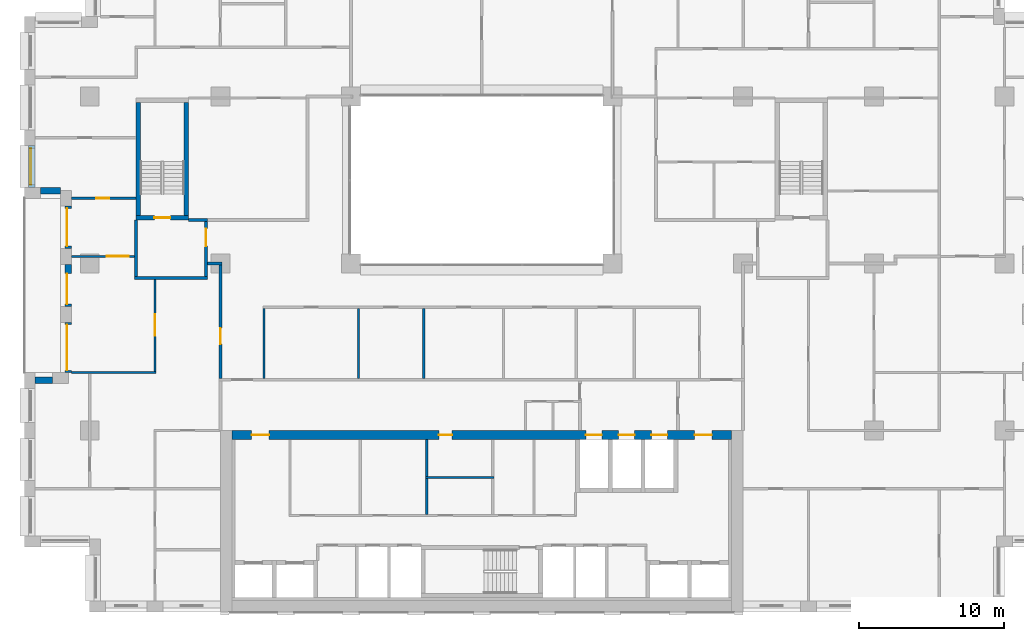
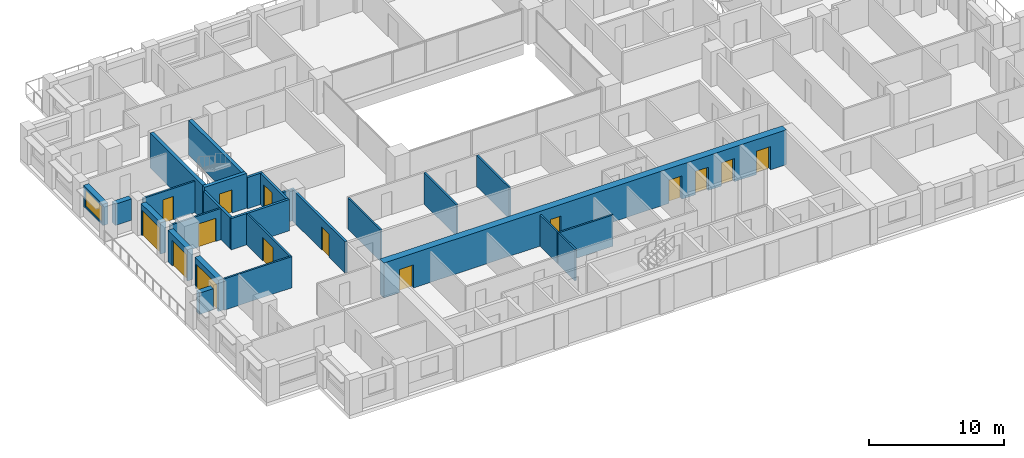
# One storey, part 9 of 16: 26 walls, 15 doors, 1 window, 16 openings.
"""IFC4 building model written with IfcOpenShell, lengths in metres."""

from ifc_helpers import new_model, si_unit, direction, frame, frame_2d, origin, place, context, subcontext, project, spatial, rectangle, extrude, material, layer, layer_set, type_object, element, fill, save


model = new_model("IFC4")

# Units and contexts
model_context = context("Model", 3, precision=1e-05, world=origin(), true_north=direction((0.0, 1.0)))
body_context = subcontext(model_context, "Body", "Model", "MODEL_VIEW")
ifc_project = project(units=[si_unit("LENGTHUNIT", "METRE"), si_unit("AREAUNIT", "SQUARE_METRE"), si_unit("VOLUMEUNIT", "CUBIC_METRE"), si_unit("PLANEANGLEUNIT", "RADIAN"), si_unit("MASSUNIT", "GRAM", prefix="KILO")], contexts=[model_context])

# Site, building, storey
site_placement = place(None, origin())
site = spatial("IfcSite", under=ifc_project, at=site_placement, CompositionType="ELEMENT")
building_placement = place(site_placement, origin())
building = spatial("IfcBuilding", under=site, at=building_placement, Name="Brigalow Station Residences", CompositionType="ELEMENT")
storey_placement = place(building_placement, frame((0.0, 0.0, 89.85009765625)))
storey = spatial("IfcBuildingStorey", under=building, at=storey_placement, Name="L25", CompositionType="ELEMENT", Elevation=89.85009765625)

# Wall, opening, window
ifc_material_1 = material(Name="Clay brick masonry", Category="masonry")
ifc_layer_1 = layer(ifc_material_1, 0.449951171875)
ifc_layer_set_1 = layer_set([ifc_layer_1], Name="BRICK INFILL WALL 450")
wall_type_1 = type_object("IfcWallType", Name="BRICK INFILL WALL 450", PredefinedType="SOLIDWALL", material=ifc_layer_set_1)
wall_1_placement = place(storey_placement, frame((5.02490234375, 32.116943359375, 0.89990234375), z_axis=(0.0, 0.0, 1.0), x_axis=(0.0, -1.0, 0.0)))
wall_1 = element("IfcWall", 1, at=wall_1_placement, inside=storey, type_object=wall_type_1, Name="L25/ewall/W-L25-41", PredefinedType="SOLIDWALL", context=body_context, shape_type="SweptSolid", body=[
    extrude(rectangle(XDim=2.866943359375, YDim=0.449951171875, at=frame_2d((1.43359375, 0.0))), origin(), (0.0, 0.0, 1.0), 1.929931640625),
])
opening_1_placement = place(wall_1_placement, frame((0.18359375, 0.0, 0.14990234375)))
opening_1 = element("IfcOpeningElement", 2, at=opening_1_placement, cuts=wall_1, Name="Opening WT-5", PredefinedType="OPENING", context=body_context, shape_type="SweptSolid", body=[
    extrude(rectangle(XDim=2.5, YDim=1.5, at=frame_2d((1.25, 0.75))), frame((0.0, 0.23486328125, 0.0), z_axis=(0.0, -1.0, 0.0), x_axis=(1.0, 0.0, 0.0)), (0.0, 0.0, 1.0), 0.469970703125),
])
ifc_material_2 = material(Name="Anodised aluminium frame with double glazing", Category="aluminium")
window_type = type_object("IfcWindowType", Name="WINDOW 2500x1500", PartitioningType="SINGLE_PANEL", PredefinedType="WINDOW", material=ifc_material_2)
window_placement = place(opening_1_placement, origin())
window = element("IfcWindow", 3, at=window_placement, inside=storey, type_object=window_type, Name="L25/window/W-L25-41", OverallHeight=1.5, OverallWidth=2.5, PartitioningType="SINGLE_PANEL", PredefinedType="WINDOW", context=body_context, shape_type="SweptSolid", body=[
    extrude(rectangle(XDim=2.5, YDim=1.5, at=frame_2d((1.25, 0.75))), frame((0.0, -0.06494140625, 0.0), z_axis=(0.0, -1.0, 0.0), x_axis=(1.0, 0.0, 0.0)), (0.0, 0.0, 1.0), 0.06005859375),
])
fill(opening_1, window)

# Wall
wall_2_placement = place(storey_placement, frame((5.60009765625, 29.02490234375, 0.89990234375), z_axis=(0.0, 0.0, 1.0), x_axis=(1.0, 0.0, 0.0)))
element("IfcWall", 4, at=wall_2_placement, inside=storey, type_object=wall_type_1, Name="L25/ewall/W-L25-42", PredefinedType="SOLIDWALL", context=body_context, shape_type="SweptSolid", body=[
    extrude(rectangle(XDim=1.39990234375, YDim=0.449951171875, at=frame_2d((0.699951171875, 0.0))), origin(), (0.0, 0.0, 1.0), 1.929931640625),
])

# Wall, opening, door
wall_3_placement = place(storey_placement, frame((7.52490234375, 27.949951171875, 0.0), z_axis=(0.0, 0.0, 1.0), x_axis=(0.0, -1.0, 0.0)))
wall_3 = element("IfcWall", 5, at=wall_3_placement, inside=storey, type_object=wall_type_1, Name="L25/ewall/W-L25-43", PredefinedType="SOLIDWALL", context=body_context, shape_type="SweptSolid", body=[
    extrude(rectangle(XDim=2.89990234375, YDim=0.449951171875, at=frame_2d((1.449951171875, 0.0))), origin(), (0.0, 0.0, 1.0), 2.829833984375),
])
opening_2_placement = place(wall_3_placement, frame((0.14990234375, 0.0, 0.0)))
opening_2 = element("IfcOpeningElement", 6, at=opening_2_placement, cuts=wall_3, Name="Opening D-B2600", PredefinedType="OPENING", context=body_context, shape_type="SweptSolid", body=[
    extrude(rectangle(XDim=2.60009765625, YDim=2.300048828125, at=frame_2d((1.300048828125, 1.14990234375))), frame((0.0, 0.23486328125, 0.0), z_axis=(0.0, -1.0, 0.0), x_axis=(1.0, 0.0, 0.0)), (0.0, 0.0, 1.0), 0.469970703125),
])
ifc_material_3 = material(Name="Anodised aluminium frame with double glazing", Category="aluminium")
door_type_1 = type_object("IfcDoorType", Name="BALCONY SLIDING DOOR 2600x2300", OperationType="SLIDING_TO_LEFT", PredefinedType="DOOR", material=ifc_material_3)
door_1_placement = place(opening_2_placement, origin())
door_1 = element("IfcDoor", 7, at=door_1_placement, inside=storey, type_object=door_type_1, Name="L25/balcony-door/W-L25-43", OperationType="SLIDING_TO_LEFT", OverallHeight=2.300048828125, OverallWidth=2.60009765625, PredefinedType="DOOR", context=body_context, shape_type="SweptSolid", body=[
    extrude(rectangle(XDim=2.60009765625, YDim=2.300048828125, at=frame_2d((1.300048828125, 1.14990234375))), frame((0.0, -0.06982421875, 0.0), z_axis=(0.0, -1.0, 0.0), x_axis=(1.0, 0.0, 0.0)), (0.0, 0.0, 1.0), 0.050048828125),
])
fill(opening_2, door_1)

wall_4_placement = place(storey_placement, frame((7.52490234375, 23.949951171875, 0.0), z_axis=(0.0, 0.0, 1.0), x_axis=(0.0, -1.0, 0.0)))
wall_4 = element("IfcWall", 8, at=wall_4_placement, inside=storey, type_object=wall_type_1, Name="L25/ewall/W-L25-44", PredefinedType="SOLIDWALL", context=body_context, shape_type="SweptSolid", body=[
    extrude(rectangle(XDim=2.89990234375, YDim=0.449951171875, at=frame_2d((1.449951171875, 0.0))), origin(), (0.0, 0.0, 1.0), 2.829833984375),
])
opening_3_placement = place(wall_4_placement, frame((0.635009765625, 0.0, 0.0)))
opening_3 = element("IfcOpeningElement", 9, at=opening_3_placement, cuts=wall_4, Name="Opening D-B2100", PredefinedType="OPENING", context=body_context, shape_type="SweptSolid", body=[
    extrude(rectangle(XDim=2.10009765625, YDim=2.300048828125, at=frame_2d((1.050048828125, 1.14990234375))), frame((0.0, 0.23486328125, 0.0), z_axis=(0.0, -1.0, 0.0), x_axis=(1.0, 0.0, 0.0)), (0.0, 0.0, 1.0), 0.469970703125),
])
ifc_material_4 = material(Name="Anodised aluminium frame with double glazing", Category="aluminium")
door_type_2 = type_object("IfcDoorType", Name="BALCONY SLIDING DOOR 2100x2300", OperationType="SLIDING_TO_LEFT", PredefinedType="DOOR", material=ifc_material_4)
door_2_placement = place(opening_3_placement, origin())
door_2 = element("IfcDoor", 10, at=door_2_placement, inside=storey, type_object=door_type_2, Name="L25/balcony-door/W-L25-44", OperationType="SLIDING_TO_LEFT", OverallHeight=2.300048828125, OverallWidth=2.10009765625, PredefinedType="DOOR", context=body_context, shape_type="SweptSolid", body=[
    extrude(rectangle(XDim=2.10009765625, YDim=2.300048828125, at=frame_2d((1.050048828125, 1.14990234375))), frame((0.0, -0.06982421875, 0.0), z_axis=(0.0, -1.0, 0.0), x_axis=(1.0, 0.0, 0.0)), (0.0, 0.0, 1.0), 0.050048828125),
])
fill(opening_3, door_2)

wall_5_placement = place(storey_placement, frame((7.52490234375, 19.949951171875, 0.0), z_axis=(0.0, 0.0, 1.0), x_axis=(0.0, -1.0, 0.0)))
wall_5 = element("IfcWall", 11, at=wall_5_placement, inside=storey, type_object=wall_type_1, Name="L25/ewall/W-L25-45", PredefinedType="SOLIDWALL", context=body_context, shape_type="SweptSolid", body=[
    extrude(rectangle(XDim=3.449951171875, YDim=0.449951171875, at=frame_2d((1.72509765625, 0.0))), origin(), (0.0, 0.0, 1.0), 2.829833984375),
])
opening_4_placement = place(wall_5_placement, frame((0.14990234375, 0.0, 0.0)))
opening_4 = element("IfcOpeningElement", 12, at=opening_4_placement, cuts=wall_5, Name="Opening D-B3150", PredefinedType="OPENING", context=body_context, shape_type="SweptSolid", body=[
    extrude(rectangle(XDim=3.14990234375, YDim=2.300048828125, at=frame_2d((1.574951171875, 1.14990234375))), frame((0.0, 0.23486328125, 0.0), z_axis=(0.0, -1.0, 0.0), x_axis=(1.0, 0.0, 0.0)), (0.0, 0.0, 1.0), 0.469970703125),
])
ifc_material_5 = material(Name="Anodised aluminium frame with double glazing", Category="aluminium")
door_type_3 = type_object("IfcDoorType", Name="BALCONY SLIDING DOOR 3150x2300", OperationType="SLIDING_TO_LEFT", PredefinedType="DOOR", material=ifc_material_5)
door_3_placement = place(opening_4_placement, origin())
door_3 = element("IfcDoor", 13, at=door_3_placement, inside=storey, type_object=door_type_3, Name="L25/balcony-door/W-L25-45", OperationType="SLIDING_TO_LEFT", OverallHeight=2.300048828125, OverallWidth=3.14990234375, PredefinedType="DOOR", context=body_context, shape_type="SweptSolid", body=[
    extrude(rectangle(XDim=3.14990234375, YDim=2.300048828125, at=frame_2d((1.574951171875, 1.14990234375))), frame((0.0, -0.06982421875, 0.0), z_axis=(0.0, -1.0, 0.0), x_axis=(1.0, 0.0, 0.0)), (0.0, 0.0, 1.0), 0.050048828125),
])
fill(opening_4, door_3)

# Wall
wall_6_placement = place(storey_placement, frame((6.449951171875, 15.97509765625, 0.89990234375), z_axis=(0.0, 0.0, 1.0), x_axis=(-1.0, 0.0, 0.0)))
element("IfcWall", 14, at=wall_6_placement, inside=storey, type_object=wall_type_1, Name="L25/ewall/W-L25-46", PredefinedType="SOLIDWALL", context=body_context, shape_type="SweptSolid", body=[
    extrude(rectangle(XDim=1.199951171875, YDim=0.449951171875, at=frame_2d((0.60009765625, 0.0))), origin(), (0.0, 0.0, 1.0), 1.929931640625),
])

# Wall, opening, door
ifc_material_6 = material(Name="Concrete C65", Category="concrete")
ifc_layer_2 = layer(ifc_material_6, 0.300048828125)
ifc_layer_set_2 = layer_set([ifc_layer_2], Name="CORE SHEAR WALL 300 C65")
wall_type_2 = type_object("IfcWallType", Name="CORE SHEAR WALL 300 C65", PredefinedType="SHEAR", material=ifc_layer_set_2)
wall_7_placement = place(storey_placement, frame((12.199951171875, 27.14990234375, 0.0), z_axis=(0.0, 0.0, 1.0), x_axis=(1.0, 0.0, 0.0)))
wall_7 = element("IfcWall", 15, at=wall_7_placement, inside=storey, type_object=wall_type_2, Name="CORE WALL ST-S1-S L25", PredefinedType="SHEAR", context=body_context, shape_type="SweptSolid", body=[
    extrude(rectangle(XDim=3.60009765625, YDim=0.300048828125, at=frame_2d((1.800048828125, 0.0))), origin(), (0.0, 0.0, 1.0), 3.14990234375),
])
opening_5_placement = place(wall_7_placement, frame((1.25, 0.0, 0.0)))
opening_5 = element("IfcOpeningElement", 16, at=opening_5_placement, cuts=wall_7, Name="Opening D-5015", PredefinedType="OPENING", context=body_context, shape_type="SweptSolid", body=[
    extrude(rectangle(XDim=1.10009765625, YDim=2.10009765625, at=frame_2d((0.550048828125, 1.050048828125))), frame((0.0, 0.16015625, 0.0), z_axis=(0.0, -1.0, 0.0), x_axis=(1.0, 0.0, 0.0)), (0.0, 0.0, 1.0), 0.320068359375),
])
ifc_material_7 = material(Name="Steel fire door leaf in steel frame", Category="steel")
door_type_4 = type_object("IfcDoorType", Name="STAIR DOOR 1100 x 2100 FD60S", OperationType="SINGLE_SWING_LEFT", PredefinedType="DOOR", material=ifc_material_7)
door_4_placement = place(opening_5_placement, origin())
door_4 = element("IfcDoor", 17, at=door_4_placement, inside=storey, type_object=door_type_4, Name="D-5015", OperationType="SINGLE_SWING_LEFT", OverallHeight=2.10009765625, OverallWidth=1.10009765625, PredefinedType="DOOR", context=body_context, shape_type="SweptSolid", body=[
    extrude(rectangle(XDim=1.10009765625, YDim=2.10009765625, at=frame_2d((0.550048828125, 1.050048828125))), frame((0.0, 0.02490234375, 0.0), z_axis=(0.0, -1.0, 0.0), x_axis=(1.0, 0.0, 0.0)), (0.0, 0.0, 1.0), 0.050048828125),
])
fill(opening_5, door_4)

# Walls
for number, where, z_axis, x_axis, name in (
    (18, (12.35009765625, 27.300048828125, 0.0), (0.0, 0.0, 1.0), (0.0, 1.0, 0.0), "CORE WALL ST-S1-W L25"),
    (19, (15.64990234375, 27.300048828125, 0.0), (0.0, 0.0, 1.0), (0.0, 1.0, 0.0), "CORE WALL ST-S1-E L25"),
):
    element("IfcWall", number, at=place(storey_placement, frame(where, z_axis=z_axis, x_axis=x_axis)), inside=storey, type_object=wall_type_2, Name=name, PredefinedType="SHEAR", context=body_context, shape_type="SweptSolid", body=[
        extrude(rectangle(XDim=7.800048828125, YDim=0.300048828125, at=frame_2d((3.89990234375, 0.0))), origin(), (0.0, 0.0, 1.0), 3.14990234375),
    ])

# Wall, openings, doors
ifc_material_8 = material(Name="Concrete C65", Category="concrete")
ifc_layer_3 = layer(ifc_material_8, 0.60009765625)
ifc_layer_set_3 = layer_set([ifc_layer_3], Name="CORE SHEAR WALL 600 C65")
wall_type_3 = type_object("IfcWallType", Name="CORE SHEAR WALL 600 C65", PredefinedType="SHEAR", material=ifc_layer_set_3)
wall_8_placement = place(storey_placement, frame((18.800048828125, 12.199951171875, 0.0), z_axis=(0.0, 0.0, 1.0), x_axis=(1.0, 0.0, 0.0)))
wall_8 = element("IfcWall", 20, at=wall_8_placement, inside=storey, type_object=wall_type_3, Name="CORE WALL OUT-N L25", PredefinedType="SHEAR", context=body_context, shape_type="SweptSolid", body=[
    extrude(rectangle(XDim=34.39990234375, YDim=0.60009765625, at=frame_2d((17.199951171875, 0.0))), origin(), (0.0, 0.0, 1.0), 3.14990234375),
])
opening_6_placement = place(wall_8_placement, frame((24.375, 0.0, 0.0)))
opening_6 = element("IfcOpeningElement", 21, at=opening_6_placement, cuts=wall_8, Name="Opening LD-LF1", PredefinedType="OPENING", context=body_context, shape_type="SweptSolid", body=[
    extrude(rectangle(XDim=1.10009765625, YDim=2.10009765625, at=frame_2d((0.550048828125, 1.050048828125))), frame((0.0, 0.31005859375, 0.0), z_axis=(0.0, -1.0, 0.0), x_axis=(1.0, 0.0, 0.0)), (0.0, 0.0, 1.0), 0.6201171875),
])
opening_7_placement = place(wall_8_placement, frame((26.625, 0.0, 0.0)))
opening_7 = element("IfcOpeningElement", 22, at=opening_7_placement, cuts=wall_8, Name="Opening LD-LF2", PredefinedType="OPENING", context=body_context, shape_type="SweptSolid", body=[
    extrude(rectangle(XDim=1.10009765625, YDim=2.10009765625, at=frame_2d((0.550048828125, 1.050048828125))), frame((0.0, 0.31005859375, 0.0), z_axis=(0.0, -1.0, 0.0), x_axis=(1.0, 0.0, 0.0)), (0.0, 0.0, 1.0), 0.6201171875),
])
opening_8_placement = place(wall_8_placement, frame((28.875, 0.0, 0.0)))
opening_8 = element("IfcOpeningElement", 23, at=opening_8_placement, cuts=wall_8, Name="Opening LD-LG1", PredefinedType="OPENING", context=body_context, shape_type="SweptSolid", body=[
    extrude(rectangle(XDim=1.10009765625, YDim=2.10009765625, at=frame_2d((0.550048828125, 1.050048828125))), frame((0.0, 0.31005859375, 0.0), z_axis=(0.0, -1.0, 0.0), x_axis=(1.0, 0.0, 0.0)), (0.0, 0.0, 1.0), 0.6201171875),
])
opening_9_placement = place(wall_8_placement, frame((14.25, 0.0, 0.0)))
opening_9 = element("IfcOpeningElement", 24, at=opening_9_placement, cuts=wall_8, Name="Opening D-5113", PredefinedType="OPENING", context=body_context, shape_type="SweptSolid", body=[
    extrude(rectangle(XDim=0.89990234375, YDim=2.10009765625, at=frame_2d((0.449951171875, 1.050048828125))), frame((0.0, 0.31005859375, 0.0), z_axis=(0.0, -1.0, 0.0), x_axis=(1.0, 0.0, 0.0)), (0.0, 0.0, 1.0), 0.6201171875),
])
opening_10_placement = place(wall_8_placement, frame((1.35009765625, 0.0, 0.0)))
opening_10 = element("IfcOpeningElement", 25, at=opening_10_placement, cuts=wall_8, Name="Opening D-5011", PredefinedType="OPENING", context=body_context, shape_type="SweptSolid", body=[
    extrude(rectangle(XDim=1.199951171875, YDim=2.10009765625, at=frame_2d((0.60009765625, 1.050048828125))), frame((0.0, 0.31005859375, 0.0), z_axis=(0.0, -1.0, 0.0), x_axis=(1.0, 0.0, 0.0)), (0.0, 0.0, 1.0), 0.6201171875),
])
opening_11_placement = place(wall_8_placement, frame((31.85009765625, 0.0, 0.0)))
opening_11 = element("IfcOpeningElement", 26, at=opening_11_placement, cuts=wall_8, Name="Opening D-5012", PredefinedType="OPENING", context=body_context, shape_type="SweptSolid", body=[
    extrude(rectangle(XDim=1.199951171875, YDim=2.10009765625, at=frame_2d((0.60009765625, 1.050048828125))), frame((0.0, 0.31005859375, 0.0), z_axis=(0.0, -1.0, 0.0), x_axis=(1.0, 0.0, 0.0)), (0.0, 0.0, 1.0), 0.6201171875),
])
ifc_material_9 = material(Name="Steel fire door leaf in steel frame", Category="steel")
door_type_5 = type_object("IfcDoorType", Name="CORE CORRIDOR DOOR 1200 x 2100 FD60S", OperationType="SINGLE_SWING_LEFT", PredefinedType="DOOR", material=ifc_material_9)
door_5_placement = place(opening_10_placement, frame((1.199951171875, 0.0, 0.0), z_axis=(0.0, 0.0, 1.0), x_axis=(-1.0, 0.0, 0.0)))
door_5 = element("IfcDoor", 27, at=door_5_placement, inside=storey, type_object=door_type_5, Name="D-5011", OperationType="SINGLE_SWING_LEFT", OverallHeight=2.10009765625, OverallWidth=1.199951171875, PredefinedType="DOOR", context=body_context, shape_type="SweptSolid", body=[
    extrude(rectangle(XDim=1.199951171875, YDim=2.10009765625, at=frame_2d((0.60009765625, 1.050048828125))), frame((0.0, 0.02490234375, 0.0), z_axis=(0.0, -1.0, 0.0), x_axis=(1.0, 0.0, 0.0)), (0.0, 0.0, 1.0), 0.050048828125),
])
fill(opening_10, door_5)
door_6_placement = place(opening_11_placement, frame((1.199951171875, 0.0, 0.0), z_axis=(0.0, 0.0, 1.0), x_axis=(-1.0, 0.0, 0.0)))
door_6 = element("IfcDoor", 28, at=door_6_placement, inside=storey, type_object=door_type_5, Name="D-5012", OperationType="SINGLE_SWING_RIGHT", OverallHeight=2.10009765625, OverallWidth=1.199951171875, PredefinedType="DOOR", context=body_context, shape_type="SweptSolid", body=[
    extrude(rectangle(XDim=1.199951171875, YDim=2.10009765625, at=frame_2d((0.60009765625, 1.050048828125))), frame((0.0, 0.02490234375, 0.0), z_axis=(0.0, -1.0, 0.0), x_axis=(1.0, 0.0, 0.0)), (0.0, 0.0, 1.0), 0.050048828125),
])
fill(opening_11, door_6)
ifc_material_10 = material(Name="Stainless steel sliding door leaves", Category="steel")
door_type_6 = type_object("IfcDoorType", Name="LIFT LANDING DOOR 1100 x 2100", OperationType="DOUBLE_DOOR_SLIDING", PredefinedType="DOOR", material=ifc_material_10)
door_7_placement = place(opening_6_placement, origin())
door_7 = element("IfcDoor", 29, at=door_7_placement, inside=storey, type_object=door_type_6, Name="LANDING DOOR LF1", OperationType="DOUBLE_DOOR_SLIDING", OverallHeight=2.10009765625, OverallWidth=1.10009765625, PredefinedType="DOOR", context=body_context, shape_type="SweptSolid", body=[
    extrude(rectangle(XDim=1.10009765625, YDim=2.10009765625, at=frame_2d((0.550048828125, 1.050048828125))), frame((0.0, 0.02490234375, 0.0), z_axis=(0.0, -1.0, 0.0), x_axis=(1.0, 0.0, 0.0)), (0.0, 0.0, 1.0), 0.050048828125),
])
fill(opening_6, door_7)
door_8_placement = place(opening_7_placement, origin())
door_8 = element("IfcDoor", 30, at=door_8_placement, inside=storey, type_object=door_type_6, Name="LANDING DOOR LF2", OperationType="DOUBLE_DOOR_SLIDING", OverallHeight=2.10009765625, OverallWidth=1.10009765625, PredefinedType="DOOR", context=body_context, shape_type="SweptSolid", body=[
    extrude(rectangle(XDim=1.10009765625, YDim=2.10009765625, at=frame_2d((0.550048828125, 1.050048828125))), frame((0.0, 0.02490234375, 0.0), z_axis=(0.0, -1.0, 0.0), x_axis=(1.0, 0.0, 0.0)), (0.0, 0.0, 1.0), 0.050048828125),
])
fill(opening_7, door_8)
door_9_placement = place(opening_8_placement, origin())
door_9 = element("IfcDoor", 31, at=door_9_placement, inside=storey, type_object=door_type_6, Name="LANDING DOOR LG1", OperationType="DOUBLE_DOOR_SLIDING", OverallHeight=2.10009765625, OverallWidth=1.10009765625, PredefinedType="DOOR", context=body_context, shape_type="SweptSolid", body=[
    extrude(rectangle(XDim=1.10009765625, YDim=2.10009765625, at=frame_2d((0.550048828125, 1.050048828125))), frame((0.0, 0.02490234375, 0.0), z_axis=(0.0, -1.0, 0.0), x_axis=(1.0, 0.0, 0.0)), (0.0, 0.0, 1.0), 0.050048828125),
])
fill(opening_8, door_9)
ifc_material_11 = material(Name="Steel door leaf in steel frame", Category="steel")
door_type_7 = type_object("IfcDoorType", Name="SERVICE ROOM DOOR 900 x 2100 FD60", OperationType="SINGLE_SWING_LEFT", PredefinedType="DOOR", material=ifc_material_11)
door_10_placement = place(opening_9_placement, frame((0.89990234375, 0.0, 0.0), z_axis=(0.0, 0.0, 1.0), x_axis=(-1.0, 0.0, 0.0)))
door_10 = element("IfcDoor", 32, at=door_10_placement, inside=storey, type_object=door_type_7, Name="D-5113", OperationType="SINGLE_SWING_RIGHT", OverallHeight=2.10009765625, OverallWidth=0.89990234375, PredefinedType="DOOR", context=body_context, shape_type="SweptSolid", body=[
    extrude(rectangle(XDim=0.89990234375, YDim=2.10009765625, at=frame_2d((0.449951171875, 1.050048828125))), frame((0.0, 0.02490234375, 0.0), z_axis=(0.0, -1.0, 0.0), x_axis=(1.0, 0.0, 0.0)), (0.0, 0.0, 1.0), 0.050048828125),
])
fill(opening_9, door_10)

# Walls
ifc_material_12 = material(Name="Concrete blockwork", Category="masonry")
ifc_layer_4 = layer(ifc_material_12, 0.199951171875)
ifc_layer_set_4 = layer_set([ifc_layer_4], Name="FIRE RATED CORE PARTITION 200")
wall_type_4 = type_object("IfcWallType", Name="FIRE RATED CORE PARTITION 200", PredefinedType="PARTITIONING", material=ifc_layer_set_4)
wall_9_placement = place(storey_placement, frame((12.10009765625, 23.0, 0.0), z_axis=(0.0, 0.0, 1.0), x_axis=(1.0, 0.0, 0.0)))
element("IfcWall", 33, at=wall_9_placement, inside=storey, type_object=wall_type_4, Name="PW-5023", PredefinedType="PARTITIONING", context=body_context, shape_type="SweptSolid", body=[
    extrude(rectangle(XDim=5.0, YDim=0.199951171875, at=frame_2d((2.5, 0.0))), origin(), (0.0, 0.0, 1.0), 2.829833984375),
])
wall_10_placement = place(storey_placement, frame((15.800048828125, 27.0, 0.0), z_axis=(0.0, 0.0, 1.0), x_axis=(1.0, 0.0, 0.0)))
element("IfcWall", 34, at=wall_10_placement, inside=storey, type_object=wall_type_4, Name="PW-5025", PredefinedType="PARTITIONING", context=body_context, shape_type="SweptSolid", body=[
    extrude(rectangle(XDim=1.300048828125, YDim=0.199951171875, at=frame_2d((0.64990234375, 0.0))), origin(), (0.0, 0.0, 1.0), 2.829833984375),
])
wall_11_placement = place(storey_placement, frame((12.199951171875, 23.10009765625, 0.0), z_axis=(0.0, 0.0, 1.0), x_axis=(0.0, 1.0, 0.0)))
element("IfcWall", 35, at=wall_11_placement, inside=storey, type_object=wall_type_4, Name="PW-5034", PredefinedType="PARTITIONING", context=body_context, shape_type="SweptSolid", body=[
    extrude(rectangle(XDim=3.89990234375, YDim=0.199951171875, at=frame_2d((1.949951171875, 0.0))), origin(), (0.0, 0.0, 1.0), 2.829833984375),
])

# Wall, opening, door
wall_12_placement = place(storey_placement, frame((17.0, 23.10009765625, 0.0), z_axis=(0.0, 0.0, 1.0), x_axis=(0.0, 1.0, 0.0)))
wall_12 = element("IfcWall", 36, at=wall_12_placement, inside=storey, type_object=wall_type_4, Name="PW-5035", PredefinedType="PARTITIONING", context=body_context, shape_type="SweptSolid", body=[
    extrude(rectangle(XDim=3.7998046875, YDim=0.199951171875, at=frame_2d((1.89990234375, 0.0))), origin(), (0.0, 0.0, 1.0), 2.829833984375),
])
opening_12_placement = place(wall_12_placement, frame((2.10009765625, 0.0, 0.0)))
opening_12 = element("IfcOpeningElement", 37, at=opening_12_placement, cuts=wall_12, Name="Opening D-5016", PredefinedType="OPENING", context=body_context, shape_type="SweptSolid", body=[
    extrude(rectangle(XDim=1.199951171875, YDim=2.10009765625, at=frame_2d((0.60009765625, 1.050048828125))), frame((0.0, 0.10986328125, 0.0), z_axis=(0.0, -1.0, 0.0), x_axis=(1.0, 0.0, 0.0)), (0.0, 0.0, 1.0), 0.219970703125),
])
ifc_material_13 = material(Name="Steel fire door leaf in steel frame", Category="steel")
door_type_8 = type_object("IfcDoorType", Name="STAIR LOBBY DOOR 1200 x 2100 FD60S", OperationType="SINGLE_SWING_LEFT", PredefinedType="DOOR", material=ifc_material_13)
door_11_placement = place(opening_12_placement, origin())
door_11 = element("IfcDoor", 38, at=door_11_placement, inside=storey, type_object=door_type_8, Name="D-5016", OperationType="SINGLE_SWING_RIGHT", OverallHeight=2.10009765625, OverallWidth=1.199951171875, PredefinedType="DOOR", context=body_context, shape_type="SweptSolid", body=[
    extrude(rectangle(XDim=1.199951171875, YDim=2.10009765625, at=frame_2d((0.60009765625, 1.050048828125))), frame((0.0, 0.02490234375, 0.0), z_axis=(0.0, -1.0, 0.0), x_axis=(1.0, 0.0, 0.0)), (0.0, 0.0, 1.0), 0.050048828125),
])
fill(opening_12, door_11)

# Wall
ifc_material_14 = material(Name="Plasterboard on steel stud partition", Category="steel")
ifc_layer_5 = layer(ifc_material_14, 0.14990234375)
ifc_layer_set_5 = layer_set([ifc_layer_5], Name="FLAT PARTITION 150")
wall_type_5 = type_object("IfcWallType", Name="FLAT PARTITION 150", PredefinedType="PARTITIONING", material=ifc_layer_set_5)
wall_13_placement = place(storey_placement, frame((7.75, 16.5, 0.0), z_axis=(0.0, 0.0, 1.0), x_axis=(1.0, 0.0, 0.0)))
element("IfcWall", 39, at=wall_13_placement, inside=storey, type_object=wall_type_5, Name="PW-2A14", PredefinedType="PARTITIONING", context=body_context, shape_type="SweptSolid", body=[
    extrude(rectangle(XDim=5.824951171875, YDim=0.14990234375, at=frame_2d((2.91259765625, 0.0))), origin(), (0.0, 0.0, 1.0), 2.829833984375),
])

# Wall, opening, door
wall_14_placement = place(storey_placement, frame((7.75, 24.5, 0.0), z_axis=(0.0, 0.0, 1.0), x_axis=(1.0, 0.0, 0.0)))
wall_14 = element("IfcWall", 40, at=wall_14_placement, inside=storey, type_object=wall_type_5, Name="PW-2A19", PredefinedType="PARTITIONING", context=body_context, shape_type="SweptSolid", body=[
    extrude(rectangle(XDim=4.35009765625, YDim=0.14990234375, at=frame_2d((2.175048828125, 0.0))), origin(), (0.0, 0.0, 1.0), 2.829833984375),
])
opening_13_placement = place(wall_14_placement, frame((2.425048828125, 0.0, 0.0)))
opening_13 = element("IfcOpeningElement", 41, at=opening_13_placement, cuts=wall_14, Name="Opening D-2A10", PredefinedType="OPENING", context=body_context, shape_type="SweptSolid", body=[
    extrude(rectangle(XDim=1.5, YDim=2.10009765625, at=frame_2d((0.75, 1.050048828125))), frame((0.0, 0.0849609375, 0.0), z_axis=(0.0, -1.0, 0.0), x_axis=(1.0, 0.0, 0.0)), (0.0, 0.0, 1.0), 0.169921875),
])
ifc_material_15 = material(Name="Solid-core timber door leaf", Category="wood")
door_type_9 = type_object("IfcDoorType", Name="INTERNAL DOUBLE DOOR 1500 x 2100", OperationType="DOUBLE_DOOR_SINGLE_SWING", PredefinedType="DOOR", material=ifc_material_15)
door_12_placement = place(opening_13_placement, origin())
door_12 = element("IfcDoor", 42, at=door_12_placement, inside=storey, type_object=door_type_9, Name="D-2A10", OperationType="DOUBLE_DOOR_SINGLE_SWING", OverallHeight=2.10009765625, OverallWidth=1.5, PredefinedType="DOOR", context=body_context, shape_type="SweptSolid", body=[
    extrude(rectangle(XDim=1.5, YDim=2.10009765625, at=frame_2d((0.75, 1.050048828125))), frame((0.0, 0.02490234375, 0.0), z_axis=(0.0, -1.0, 0.0), x_axis=(1.0, 0.0, 0.0)), (0.0, 0.0, 1.0), 0.050048828125),
])
fill(opening_13, door_12)

wall_15_placement = place(storey_placement, frame((7.75, 28.5, 0.0), z_axis=(0.0, 0.0, 1.0), x_axis=(1.0, 0.0, 0.0)))
wall_15 = element("IfcWall", 43, at=wall_15_placement, inside=storey, type_object=wall_type_5, Name="PW-2A22", PredefinedType="PARTITIONING", context=body_context, shape_type="SweptSolid", body=[
    extrude(rectangle(XDim=4.449951171875, YDim=0.14990234375, at=frame_2d((2.22509765625, 0.0))), origin(), (0.0, 0.0, 1.0), 2.829833984375),
])
opening_14_placement = place(wall_15_placement, frame((1.699951171875, 0.0, 0.0)))
opening_14 = element("IfcOpeningElement", 44, at=opening_14_placement, cuts=wall_15, Name="Opening D-2A11", PredefinedType="OPENING", context=body_context, shape_type="SweptSolid", body=[
    extrude(rectangle(XDim=0.89990234375, YDim=2.10009765625, at=frame_2d((0.449951171875, 1.050048828125))), frame((0.0, 0.0849609375, 0.0), z_axis=(0.0, -1.0, 0.0), x_axis=(1.0, 0.0, 0.0)), (0.0, 0.0, 1.0), 0.169921875),
])
ifc_material_16 = material(Name="Solid-core timber door leaf", Category="wood")
door_type_10 = type_object("IfcDoorType", Name="INTERNAL DOOR 900 x 2100", OperationType="SINGLE_SWING_LEFT", PredefinedType="DOOR", material=ifc_material_16)
door_13_placement = place(opening_14_placement, frame((0.89990234375, 0.0, 0.0), z_axis=(0.0, 0.0, 1.0), x_axis=(-1.0, 0.0, 0.0)))
door_13 = element("IfcDoor", 45, at=door_13_placement, inside=storey, type_object=door_type_10, Name="D-2A11", OperationType="SINGLE_SWING_RIGHT", OverallHeight=2.10009765625, OverallWidth=0.89990234375, PredefinedType="DOOR", context=body_context, shape_type="SweptSolid", body=[
    extrude(rectangle(XDim=0.89990234375, YDim=2.10009765625, at=frame_2d((0.449951171875, 1.050048828125))), frame((0.0, 0.02490234375, 0.0), z_axis=(0.0, -1.0, 0.0), x_axis=(1.0, 0.0, 0.0)), (0.0, 0.0, 1.0), 0.050048828125),
])
fill(opening_14, door_13)

# Wall
wall_16_placement = place(storey_placement, frame((21.0, 16.10009765625, 0.0), z_axis=(0.0, 0.0, 1.0), x_axis=(0.0, 1.0, 0.0)))
element("IfcWall", 46, at=wall_16_placement, inside=storey, type_object=wall_type_5, Name="PW-2A43", PredefinedType="PARTITIONING", context=body_context, shape_type="SweptSolid", body=[
    extrude(rectangle(XDim=4.824951171875, YDim=0.14990234375, at=frame_2d((2.41259765625, 0.0))), origin(), (0.0, 0.0, 1.0), 2.829833984375),
])

# Wall, opening, door
wall_17_placement = place(storey_placement, frame((13.5, 16.574951171875, 0.0), z_axis=(0.0, 0.0, 1.0), x_axis=(0.0, 1.0, 0.0)))
wall_17 = element("IfcWall", 47, at=wall_17_placement, inside=storey, type_object=wall_type_5, Name="PW-2A50", PredefinedType="PARTITIONING", context=body_context, shape_type="SweptSolid", body=[
    extrude(rectangle(XDim=6.324951171875, YDim=0.14990234375, at=frame_2d((3.16259765625, 0.0))), origin(), (0.0, 0.0, 1.0), 2.829833984375),
])
opening_15_placement = place(wall_17_placement, frame((2.449951171875, 0.0, 0.0)))
opening_15 = element("IfcOpeningElement", 48, at=opening_15_placement, cuts=wall_17, Name="Opening D-2A09", PredefinedType="OPENING", context=body_context, shape_type="SweptSolid", body=[
    extrude(rectangle(XDim=1.5, YDim=2.10009765625, at=frame_2d((0.75, 1.050048828125))), frame((0.0, 0.0849609375, 0.0), z_axis=(0.0, -1.0, 0.0), x_axis=(1.0, 0.0, 0.0)), (0.0, 0.0, 1.0), 0.169921875),
])
door_14_placement = place(opening_15_placement, origin())
door_14 = element("IfcDoor", 49, at=door_14_placement, inside=storey, type_object=door_type_9, Name="D-2A09", OperationType="DOUBLE_DOOR_SINGLE_SWING", OverallHeight=2.10009765625, OverallWidth=1.5, PredefinedType="DOOR", context=body_context, shape_type="SweptSolid", body=[
    extrude(rectangle(XDim=1.5, YDim=2.10009765625, at=frame_2d((0.75, 1.050048828125))), frame((0.0, 0.02490234375, 0.0), z_axis=(0.0, -1.0, 0.0), x_axis=(1.0, 0.0, 0.0)), (0.0, 0.0, 1.0), 0.050048828125),
])
fill(opening_15, door_14)

# Walls
for number, where, z_axis, x_axis, name in (
    (50, (27.5, 16.10009765625, 0.0), (0.0, 0.0, 1.0), (0.0, 1.0, 0.0), "PW-2A72"),
    (51, (32.0, 16.10009765625, 0.0), (0.0, 0.0, 1.0), (0.0, 1.0, 0.0), "PW-2A73"),
):
    element("IfcWall", number, at=place(storey_placement, frame(where, z_axis=z_axis, x_axis=x_axis)), inside=storey, type_object=wall_type_5, Name=name, PredefinedType="PARTITIONING", context=body_context, shape_type="SweptSolid", body=[
        extrude(rectangle(XDim=4.824951171875, YDim=0.14990234375, at=frame_2d((2.41259765625, 0.0))), origin(), (0.0, 0.0, 1.0), 2.829833984375),
    ])
ifc_material_17 = material(Name="Plasterboard on steel stud partition", Category="steel")
ifc_layer_6 = layer(ifc_material_17, 0.199951171875)
ifc_layer_set_6 = layer_set([ifc_layer_6], Name="PARTY AND CORRIDOR WALL 200")
wall_type_6 = type_object("IfcWallType", Name="PARTY AND CORRIDOR WALL 200", PredefinedType="PARTITIONING", material=ifc_layer_set_6)
wall_18_placement = place(storey_placement, frame((17.10009765625, 24.0, 0.0), z_axis=(0.0, 0.0, 1.0), x_axis=(1.0, 0.0, 0.0)))
element("IfcWall", 52, at=wall_18_placement, inside=storey, type_object=wall_type_6, Name="PW-2A02", PredefinedType="PARTITIONING", context=body_context, shape_type="SweptSolid", body=[
    extrude(rectangle(XDim=1.0, YDim=0.199951171875, at=frame_2d((0.5, 0.0))), origin(), (0.0, 0.0, 1.0), 2.829833984375),
])

# Wall, opening, door
wall_19_placement = place(storey_placement, frame((18.0, 16.10009765625, 0.0), z_axis=(0.0, 0.0, 1.0), x_axis=(0.0, 1.0, 0.0)))
wall_19 = element("IfcWall", 53, at=wall_19_placement, inside=storey, type_object=wall_type_6, Name="PW-2A40", PredefinedType="PARTITIONING", context=body_context, shape_type="SweptSolid", body=[
    extrude(rectangle(XDim=7.7998046875, YDim=0.199951171875, at=frame_2d((3.89990234375, 0.0))), origin(), (0.0, 0.0, 1.0), 2.829833984375),
])
opening_16_placement = place(wall_19_placement, frame((2.35009765625, 0.0, 0.0)))
opening_16 = element("IfcOpeningElement", 54, at=opening_16_placement, cuts=wall_19, Name="Opening D-2A03", PredefinedType="OPENING", context=body_context, shape_type="SweptSolid", body=[
    extrude(rectangle(XDim=1.10009765625, YDim=2.10009765625, at=frame_2d((0.550048828125, 1.050048828125))), frame((0.0, 0.10986328125, 0.0), z_axis=(0.0, -1.0, 0.0), x_axis=(1.0, 0.0, 0.0)), (0.0, 0.0, 1.0), 0.219970703125),
])
ifc_material_18 = material(Name="Solid-core timber door leaf", Category="wood")
door_type_11 = type_object("IfcDoorType", Name="FLAT ENTRANCE DOOR 1100 x 2100 FRL -/60/30", OperationType="SINGLE_SWING_LEFT", PredefinedType="DOOR", material=ifc_material_18)
door_15_placement = place(opening_16_placement, origin())
door_15 = element("IfcDoor", 55, at=door_15_placement, inside=storey, type_object=door_type_11, Name="D-2A03", OperationType="SINGLE_SWING_RIGHT", OverallHeight=2.10009765625, OverallWidth=1.10009765625, PredefinedType="DOOR", context=body_context, shape_type="SweptSolid", body=[
    extrude(rectangle(XDim=1.10009765625, YDim=2.10009765625, at=frame_2d((0.550048828125, 1.050048828125))), frame((0.0, 0.02490234375, 0.0), z_axis=(0.0, -1.0, 0.0), x_axis=(1.0, 0.0, 0.0)), (0.0, 0.0, 1.0), 0.050048828125),
])
fill(opening_16, door_15)

# Walls
ifc_material_19 = material(Name="Plasterboard on steel studs", Category="steel")
ifc_layer_7 = layer(ifc_material_19, 0.14990234375)
ifc_layer_set_7 = layer_set([ifc_layer_7], Name="SERVICE ROOM PARTITION 150")
wall_type_7 = type_object("IfcWallType", Name="SERVICE ROOM PARTITION 150", PredefinedType="PARTITIONING", material=ifc_layer_set_7)
wall_20_placement = place(storey_placement, frame((32.135009765625, 9.27001953125, 0.0), z_axis=(0.0, 0.0, 1.0), x_axis=(1.0, 0.0, 0.0)))
element("IfcWall", 56, at=wall_20_placement, inside=storey, type_object=wall_type_7, Name="PW-5196", PredefinedType="PARTITIONING", context=body_context, shape_type="SweptSolid", body=[
    extrude(rectangle(XDim=4.68994140625, YDim=0.14990234375, at=frame_2d((2.344970703125, 0.0))), origin(), (0.0, 0.0, 1.0), 2.829833984375),
])
wall_21_placement = place(storey_placement, frame((32.2099609375, 6.72509765625, 0.0), z_axis=(0.0, 0.0, 1.0), x_axis=(0.0, 1.0, 0.0)))
element("IfcWall", 57, at=wall_21_placement, inside=storey, type_object=wall_type_7, Name="PW-5199", PredefinedType="PARTITIONING", context=body_context, shape_type="SweptSolid", body=[
    extrude(rectangle(XDim=2.469970703125, YDim=0.14990234375, at=frame_2d((1.23486328125, 0.0))), origin(), (0.0, 0.0, 1.0), 2.829833984375),
])
wall_22_placement = place(storey_placement, frame((32.2099609375, 9.344970703125, 0.0), z_axis=(0.0, 0.0, 1.0), x_axis=(0.0, 1.0, 0.0)))
element("IfcWall", 58, at=wall_22_placement, inside=storey, type_object=wall_type_7, Name="PW-5202", PredefinedType="PARTITIONING", context=body_context, shape_type="SweptSolid", body=[
    extrude(rectangle(XDim=2.554931640625, YDim=0.14990234375, at=frame_2d((1.27734375, 0.0))), origin(), (0.0, 0.0, 1.0), 2.829833984375),
])

save(model, "model.ifc")
